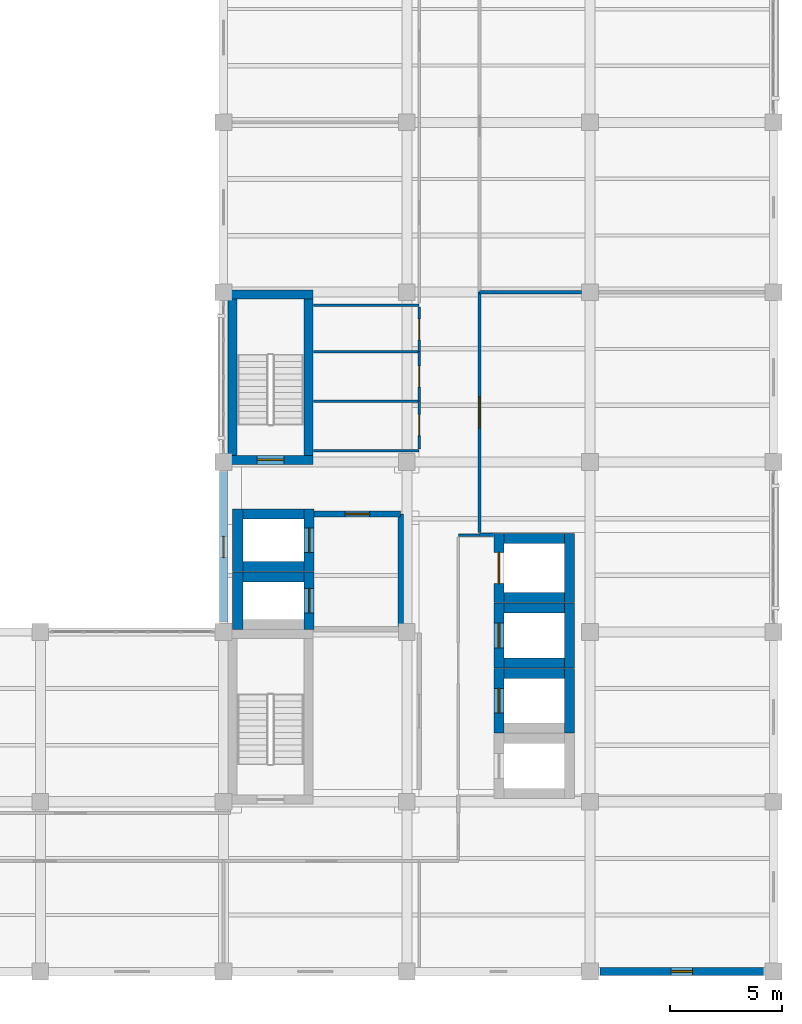
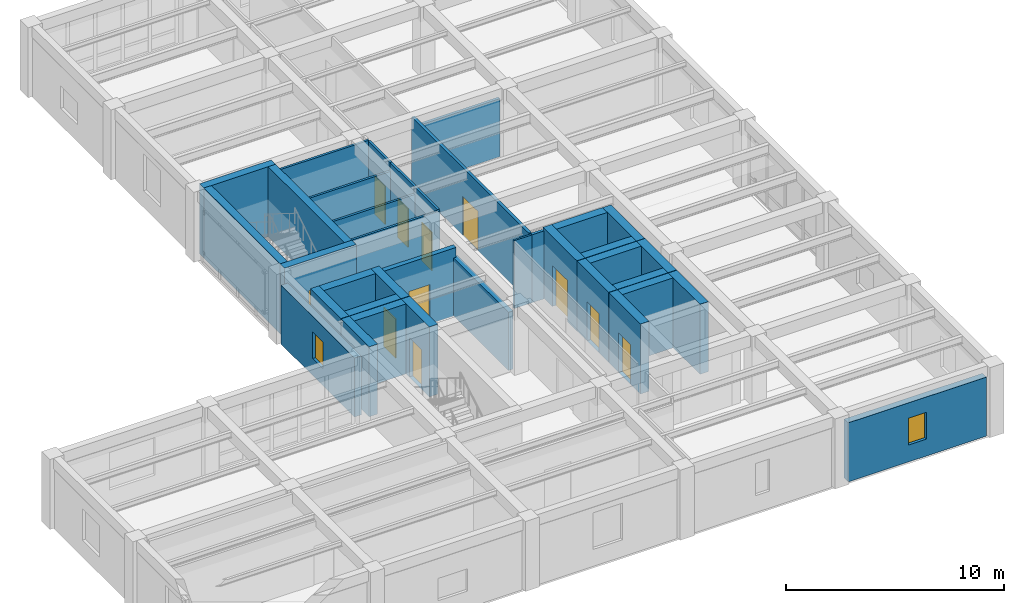
# One storey, part 8 of 13: 37 walls, 11 doors, 2 windows, 13 openings.
"""IFC4 building model written with IfcOpenShell, lengths in metres."""

from ifc_helpers import new_model, si_unit, direction, frame, frame_2d, origin, place, context, subcontext, project, spatial, rectangle, extrude, material, layer, layer_set, type_object, element, fill, save


model = new_model("IFC4")

# Units and contexts
model_context = context("Model", 3, precision=1e-05, world=origin(), true_north=direction((0.0, 1.0)))
body_context = subcontext(model_context, "Body", "Model", "MODEL_VIEW")
ifc_project = project(units=[si_unit("LENGTHUNIT", "METRE"), si_unit("AREAUNIT", "SQUARE_METRE"), si_unit("VOLUMEUNIT", "CUBIC_METRE"), si_unit("PLANEANGLEUNIT", "RADIAN"), si_unit("MASSUNIT", "GRAM", prefix="KILO")], contexts=[model_context])

# Site, building, storey
site_placement = place(None, origin())
site = spatial("IfcSite", under=ifc_project, at=site_placement, CompositionType="ELEMENT")
building_placement = place(site_placement, origin())
building = spatial("IfcBuilding", under=site, at=building_placement, Name="Qandaris Square Conservatory and Botanical Centre", CompositionType="ELEMENT")
storey_placement = place(building_placement, frame((0.0, 0.0, 57.60009765625)))
storey = spatial("IfcBuildingStorey", under=building, at=storey_placement, Name="L13", CompositionType="ELEMENT", Elevation=57.60009765625)

# Wall
ifc_material_1 = material(Name="Gypsum Plasterboard", Category="gypsum")
ifc_layer_1 = layer(ifc_material_1, 0.14990234375)
ifc_layer_set_1 = layer_set([ifc_layer_1], Name="Gypsum Plasterboard")
wall_type_1 = type_object("IfcWallType", Name="Acoustic Laboratory Partition 150mm", PredefinedType="PARTITIONING", material=ifc_layer_set_1)
wall_1_placement = place(storey_placement, frame((150.64990234375, 36.14990234375, 0.0), z_axis=(0.0, 0.0, 1.0), x_axis=(1.0, 0.0, 0.0)))
element("IfcWall", 1, at=wall_1_placement, inside=storey, type_object=wall_type_1, Name="Interior Partition IW-L13-0419", PredefinedType="PARTITIONING", context=body_context, shape_type="SweptSolid", body=[
    extrude(rectangle(XDim=0.6201171875, YDim=0.14990234375, at=frame_2d((0.31005859375, 0.0))), origin(), (0.0, 0.0, 1.0), 3.804931640625),
])

# Wall, opening, door
wall_2_placement = place(storey_placement, frame((150.64990234375, 47.0, 0.0), z_axis=(0.0, 0.0, 1.0), x_axis=(0.0, -1.0, 0.0)))
wall_2 = element("IfcWall", 2, at=wall_2_placement, inside=storey, type_object=wall_type_1, Name="Interior Partition IW-L13-0430", PredefinedType="PARTITIONING", context=body_context, shape_type="SweptSolid", body=[
    extrude(rectangle(XDim=10.75, YDim=0.14990234375, at=frame_2d((5.375, 0.0))), origin(), (0.0, 0.0, 1.0), 3.804931640625),
])
opening_1_placement = place(wall_2_placement, frame((4.675048828125, 0.0, 0.0)))
opening_1 = element("IfcOpeningElement", 3, at=opening_1_placement, cuts=wall_2, Name="Opening D-LAB1", PredefinedType="OPENING", context=body_context, shape_type="SweptSolid", body=[
    extrude(rectangle(XDim=1.39990234375, YDim=2.199951171875, at=frame_2d((0.699951171875, 1.10009765625))), frame((0.0, 0.0869140625, 0.0), z_axis=(0.0, -1.0, 0.0), x_axis=(1.0, 0.0, 0.0)), (0.0, 0.0, 1.0), 0.173828125),
])
ifc_material_2 = material(Name="Engineered Oak Timber", Category="wood")
door_type_1 = type_object("IfcDoorType", Name="Research Laboratory Leaf-and-Half Door 1400x2200", OperationType="DOUBLE_DOOR_SINGLE_SWING", PredefinedType="DOOR", material=ifc_material_2)
door_1_placement = place(opening_1_placement, frame((1.39990234375, 0.0, 0.0), z_axis=(0.0, 0.0, 1.0), x_axis=(-1.0, 0.0, 0.0)))
door_1 = element("IfcDoor", 4, at=door_1_placement, inside=storey, type_object=door_type_1, Name="DR-0386 Palaeobotany Pollen Analytical Laboratory Door", OperationType="DOUBLE_DOOR_SINGLE_SWING", OverallHeight=2.199951171875, OverallWidth=1.39990234375, PredefinedType="DOOR", context=body_context, shape_type="SweptSolid", body=[
    extrude(rectangle(XDim=1.39990234375, YDim=2.199951171875, at=frame_2d((0.699951171875, 1.10009765625))), frame((0.0, 0.02490234375, 0.0), z_axis=(0.0, -1.0, 0.0), x_axis=(1.0, 0.0, 0.0)), (0.0, 0.0, 1.0), 0.050048828125),
])
fill(opening_1, door_1)

# Wall
wall_3_placement = place(storey_placement, frame((150.64990234375, 47.0, 0.0), z_axis=(0.0, 0.0, 1.0), x_axis=(1.0, 0.0, 0.0)))
element("IfcWall", 5, at=wall_3_placement, inside=storey, type_object=wall_type_1, Name="Interior Partition IW-L13-0437", PredefinedType="PARTITIONING", context=body_context, shape_type="SweptSolid", body=[
    extrude(rectangle(XDim=4.55517578125, YDim=0.14990234375, at=frame_2d((2.277587890625, 0.0))), origin(), (0.0, 0.0, 1.0), 3.2548828125),
])

# Wall, opening, window
ifc_material_3 = material(Name="Precast concrete C40/50", Category="concrete")
ifc_layer_2 = layer(ifc_material_3, 0.360107421875)
ifc_layer_set_2 = layer_set([ifc_layer_2], Name="Precast concrete C40/50")
wall_type_2 = type_object("IfcWallType", Name="Architectural Precast Cladding Wall 360mm", PredefinedType="SOLIDWALL", material=ifc_layer_set_2)
wall_4_placement = place(storey_placement, frame((156.034912109375, 16.60009765625, 0.0), z_axis=(0.0, 0.0, 1.0), x_axis=(1.0, 0.0, 0.0)))
wall_4 = element("IfcWall", 6, at=wall_4_placement, inside=storey, type_object=wall_type_2, Name="Exterior Wall EW-TWR-L13-1-5", PredefinedType="SOLIDWALL", context=body_context, shape_type="SweptSolid", body=[
    extrude(rectangle(XDim=7.330078125, YDim=0.360107421875, at=frame_2d((3.6650390625, 0.0))), origin(), (0.0, 0.0, 1.0), 3.304931640625),
])
opening_2_placement = place(wall_4_placement, frame((3.18994140625, 0.0, 0.949951171875)))
opening_2 = element("IfcOpeningElement", 7, at=opening_2_placement, cuts=wall_4, Name="Opening WN-14", PredefinedType="OPENING", context=body_context, shape_type="SweptSolid", body=[
    extrude(rectangle(XDim=0.949951171875, YDim=1.5, at=frame_2d((0.47509765625, 0.75))), frame((0.0, 0.19189453125, 0.0), z_axis=(0.0, -1.0, 0.0), x_axis=(1.0, 0.0, 0.0)), (0.0, 0.0, 1.0), 0.384033203125),
])
ifc_material_4 = material(Name="Tempered Low-E Glass", Category="glass")
window_type = type_object("IfcWindowType", Name="Solar Control Window 950x1500", PartitioningType="SINGLE_PANEL", PredefinedType="WINDOW", material=ifc_material_4)
window_1_placement = place(opening_2_placement, origin())
window_1 = element("IfcWindow", 8, at=window_1_placement, inside=storey, type_object=window_type, Name="Window EW-TWR-L13-1-5", OverallHeight=1.5, OverallWidth=0.949951171875, PartitioningType="SINGLE_PANEL", PredefinedType="WINDOW", context=body_context, shape_type="SweptSolid", body=[
    extrude(rectangle(XDim=0.949951171875, YDim=1.5, at=frame_2d((0.47509765625, 0.75))), frame((0.0, 0.030029296875, 0.0), z_axis=(0.0, -1.0, 0.0), x_axis=(1.0, 0.0, 0.0)), (0.0, 0.0, 1.0), 0.06005859375),
])
fill(opening_2, window_1)

wall_5_placement = place(storey_placement, frame((139.199951171875, 38.965087890625, 0.0), z_axis=(0.0, 0.0, 1.0), x_axis=(0.0, -1.0, 0.0)))
wall_5 = element("IfcWall", 9, at=wall_5_placement, inside=storey, type_object=wall_type_2, Name="Exterior Wall EW-TWR-L13-4-4", PredefinedType="SOLIDWALL", context=body_context, shape_type="SweptSolid", body=[
    extrude(rectangle(XDim=6.72998046875, YDim=0.360107421875, at=frame_2d((3.364990234375, 0.0))), origin(), (0.0, 0.0, 1.0), 3.304931640625),
])
opening_3_placement = place(wall_5_placement, frame((2.889892578125, 0.0, 0.949951171875)))
opening_3 = element("IfcOpeningElement", 10, at=opening_3_placement, cuts=wall_5, Name="Opening WN-14", PredefinedType="OPENING", context=body_context, shape_type="SweptSolid", body=[
    extrude(rectangle(XDim=0.949951171875, YDim=1.5, at=frame_2d((0.47509765625, 0.75))), frame((0.0, 0.19189453125, 0.0), z_axis=(0.0, -1.0, 0.0), x_axis=(1.0, 0.0, 0.0)), (0.0, 0.0, 1.0), 0.384033203125),
])
window_2_placement = place(opening_3_placement, origin())
window_2 = element("IfcWindow", 11, at=window_2_placement, inside=storey, type_object=window_type, Name="Window EW-TWR-L13-4-4", OverallHeight=1.5, OverallWidth=0.949951171875, PartitioningType="SINGLE_PANEL", PredefinedType="WINDOW", context=body_context, shape_type="SweptSolid", body=[
    extrude(rectangle(XDim=0.949951171875, YDim=1.5, at=frame_2d((0.47509765625, 0.75))), frame((0.0, 0.030029296875, 0.0), z_axis=(0.0, -1.0, 0.0), x_axis=(1.0, 0.0, 0.0)), (0.0, 0.0, 1.0), 0.06005859375),
])
fill(opening_3, window_2)

# Wall, opening, door
ifc_material_5 = material(Name="Concrete C40/50", Category="concrete")
ifc_layer_3 = layer(ifc_material_5, 0.25)
ifc_layer_set_3 = layer_set([ifc_layer_3], Name="Concrete C40/50")
wall_type_3 = type_object("IfcWallType", Name="Firefighting Lobby Compartment Wall 250mm", PredefinedType="SOLIDWALL", material=ifc_layer_set_3)
wall_6_placement = place(storey_placement, frame((143.25, 37.074951171875, 0.0), z_axis=(0.0, 0.0, 1.0), x_axis=(1.0, 0.0, 0.0)))
wall_6 = element("IfcWall", 12, at=wall_6_placement, inside=storey, type_object=wall_type_3, Name="Firefighting Lobby Wall North (L13)", PredefinedType="SOLIDWALL", context=body_context, shape_type="SweptSolid", body=[
    extrude(rectangle(XDim=3.875, YDim=0.25, at=frame_2d((1.9375, 0.0))), origin(), (0.0, 0.0, 1.0), 3.804931640625),
])
opening_4_placement = place(wall_6_placement, frame((1.387451171875, 0.0, 0.0)))
opening_4 = element("IfcOpeningElement", 13, at=opening_4_placement, cuts=wall_6, Name="Opening D-FFL", PredefinedType="OPENING", context=body_context, shape_type="SweptSolid", body=[
    extrude(rectangle(XDim=1.10009765625, YDim=2.199951171875, at=frame_2d((0.550048828125, 1.10009765625))), frame((0.0, 0.136962890625, 0.0), z_axis=(0.0, -1.0, 0.0), x_axis=(1.0, 0.0, 0.0)), (0.0, 0.0, 1.0), 0.27392578125),
])
ifc_material_6 = material(Name="Steel S355", Category="steel")
door_type_2 = type_object("IfcDoorType", Name="Firefighting Lobby Smoke-Seal Door 1100x2200", OperationType="NOTDEFINED", PredefinedType="DOOR", material=ifc_material_6)
door_2_placement = place(opening_4_placement, origin())
door_2 = element("IfcDoor", 14, at=door_2_placement, inside=storey, type_object=door_type_2, Name="DR-0383 Firefighting Lobby Door (L13)", OperationType="SINGLE_SWING_RIGHT", OverallHeight=2.199951171875, OverallWidth=1.10009765625, PredefinedType="DOOR", context=body_context, shape_type="SweptSolid", body=[
    extrude(rectangle(XDim=1.10009765625, YDim=2.199951171875, at=frame_2d((0.550048828125, 1.10009765625))), frame((0.0, 0.02490234375, 0.0), z_axis=(0.0, -1.0, 0.0), x_axis=(1.0, 0.0, 0.0)), (0.0, 0.0, 1.0), 0.050048828125),
])
fill(opening_4, door_2)

# Walls
wall_7_placement = place(storey_placement, frame((147.125, 31.925048828125, 0.0), z_axis=(0.0, 0.0, 1.0), x_axis=(0.0, 1.0, 0.0)))
element("IfcWall", 15, at=wall_7_placement, inside=storey, type_object=wall_type_3, Name="Firefighting Lobby Wall East (L13)", PredefinedType="SOLIDWALL", context=body_context, shape_type="SweptSolid", body=[
    extrude(rectangle(XDim=5.14990234375, YDim=0.25, at=frame_2d((2.574951171875, 0.0))), origin(), (0.0, 0.0, 1.0), 3.2548828125),
])
ifc_layer_4 = layer(ifc_material_4, 0.10009765625)
ifc_layer_set_4 = layer_set([ifc_layer_4], Name="Tempered Low-E Glass")
wall_type_4 = type_object("IfcWallType", Name="Framed Acoustic Glazed Gallery Screen 100mm", PredefinedType="PARTITIONING", material=ifc_layer_set_4)
wall_8_placement = place(storey_placement, frame((149.699951171875, 36.125, 0.0), z_axis=(0.0, 0.0, 1.0), x_axis=(1.0, 0.0, 0.0)))
element("IfcWall", 16, at=wall_8_placement, inside=storey, type_object=wall_type_4, Name="Interior Partition IW-L13-0418", PredefinedType="PARTITIONING", context=body_context, shape_type="SweptSolid", body=[
    extrude(rectangle(XDim=0.949951171875, YDim=0.10009765625, at=frame_2d((0.47509765625, 0.0))), origin(), (0.0, 0.0, 1.0), 3.804931640625),
])
ifc_material_7 = material(Name="Concrete C50/60", Category="concrete")
ifc_layer_5 = layer(ifc_material_7, 0.449951171875)
ifc_layer_set_5 = layer_set([ifc_layer_5], Name="Concrete C50/60")
wall_type_5 = type_object("IfcWallType", Name="RC Coupled Core Shear Wall 450mm", PredefinedType="SHEAR", material=ifc_layer_set_5)
wall_9_placement = place(storey_placement, frame((140.06005859375, 34.264892578125, 0.0), z_axis=(0.0, 0.0, 1.0), x_axis=(1.0, 0.0, 0.0)))
element("IfcWall", 17, at=wall_9_placement, inside=storey, type_object=wall_type_5, Name="Lift FFL1 Shaft Wall North (L13)", PredefinedType="SHEAR", context=body_context, shape_type="SweptSolid", body=[
    extrude(rectangle(XDim=2.739990234375, YDim=0.449951171875, at=frame_2d((1.3701171875, 0.0))), origin(), (0.0, 0.0, 1.0), 3.919921875),
])
wall_10_placement = place(storey_placement, frame((139.8349609375, 31.909912109375, 0.0), z_axis=(0.0, 0.0, 1.0), x_axis=(0.0, 1.0, 0.0)))
element("IfcWall", 18, at=wall_10_placement, inside=storey, type_object=wall_type_5, Name="Lift FFL1 Shaft Wall West (L13)", PredefinedType="SHEAR", context=body_context, shape_type="SweptSolid", body=[
    extrude(rectangle(XDim=2.580078125, YDim=0.449951171875, at=frame_2d((1.2900390625, 0.0))), origin(), (0.0, 0.0, 1.0), 3.919921875),
])

# Wall, opening, door
wall_11_placement = place(storey_placement, frame((143.02490234375, 31.909912109375, 0.0), z_axis=(0.0, 0.0, 1.0), x_axis=(0.0, 1.0, 0.0)))
wall_11 = element("IfcWall", 19, at=wall_11_placement, inside=storey, type_object=wall_type_5, Name="Lift FFL1 Shaft Wall East (L13)", PredefinedType="SHEAR", context=body_context, shape_type="SweptSolid", body=[
    extrude(rectangle(XDim=2.580078125, YDim=0.449951171875, at=frame_2d((1.2900390625, 0.0))), origin(), (0.0, 0.0, 1.0), 3.919921875),
])
opening_5_placement = place(wall_11_placement, frame((0.739990234375, 0.0, 0.0)))
opening_5 = element("IfcOpeningElement", 20, at=opening_5_placement, cuts=wall_11, Name="Opening LD-FFL", PredefinedType="OPENING", context=body_context, shape_type="SweptSolid", body=[
    extrude(rectangle(XDim=1.10009765625, YDim=2.199951171875, at=frame_2d((0.550048828125, 1.10009765625))), frame((0.0, 0.23681640625, 0.0), z_axis=(0.0, -1.0, 0.0), x_axis=(1.0, 0.0, 0.0)), (0.0, 0.0, 1.0), 0.473876953125),
])
door_type_3 = type_object("IfcDoorType", Name="Firefighting Lift Sliding Landing Door 1100x2200", OperationType="DOUBLE_DOOR_SLIDING", PredefinedType="DOOR", material=ifc_material_6)
door_3_placement = place(opening_5_placement, origin())
door_3 = element("IfcDoor", 21, at=door_3_placement, inside=storey, type_object=door_type_3, Name="DR-0399 Lift FFL1 Landing Door (L13)", OperationType="DOUBLE_DOOR_SLIDING", OverallHeight=2.199951171875, OverallWidth=1.10009765625, PredefinedType="DOOR", context=body_context, shape_type="SweptSolid", body=[
    extrude(rectangle(XDim=1.10009765625, YDim=2.199951171875, at=frame_2d((0.550048828125, 1.10009765625))), frame((0.0, 0.02490234375, 0.0), z_axis=(0.0, -1.0, 0.0), x_axis=(1.0, 0.0, 0.0)), (0.0, 0.0, 1.0), 0.050048828125),
])
fill(opening_5, door_3)

# Walls
for number, where, z_axis, x_axis, name in (
    (22, (140.06005859375, 34.735107421875, 0.0), (0.0, 0.0, 1.0), (1.0, 0.0, 0.0), "Lift FFL2 Shaft Wall South (L13)"),
    (23, (140.06005859375, 37.06494140625, 0.0), (0.0, 0.0, 1.0), (1.0, 0.0, 0.0), "Lift FFL2 Shaft Wall North (L13)"),
):
    element("IfcWall", number, at=place(storey_placement, frame(where, z_axis=z_axis, x_axis=x_axis)), inside=storey, type_object=wall_type_5, Name=name, PredefinedType="SHEAR", context=body_context, shape_type="SweptSolid", body=[
        extrude(rectangle(XDim=2.739990234375, YDim=0.449951171875, at=frame_2d((1.3701171875, 0.0))), origin(), (0.0, 0.0, 1.0), 3.919921875),
    ])
wall_12_placement = place(storey_placement, frame((139.8349609375, 34.510009765625, 0.0), z_axis=(0.0, 0.0, 1.0), x_axis=(0.0, 1.0, 0.0)))
element("IfcWall", 24, at=wall_12_placement, inside=storey, type_object=wall_type_5, Name="Lift FFL2 Shaft Wall West (L13)", PredefinedType="SHEAR", context=body_context, shape_type="SweptSolid", body=[
    extrude(rectangle(XDim=2.780029296875, YDim=0.449951171875, at=frame_2d((1.39013671875, 0.0))), origin(), (0.0, 0.0, 1.0), 3.919921875),
])

# Wall, opening, door
wall_13_placement = place(storey_placement, frame((143.02490234375, 34.510009765625, 0.0), z_axis=(0.0, 0.0, 1.0), x_axis=(0.0, 1.0, 0.0)))
wall_13 = element("IfcWall", 25, at=wall_13_placement, inside=storey, type_object=wall_type_5, Name="Lift FFL2 Shaft Wall East (L13)", PredefinedType="SHEAR", context=body_context, shape_type="SweptSolid", body=[
    extrude(rectangle(XDim=2.780029296875, YDim=0.449951171875, at=frame_2d((1.39013671875, 0.0))), origin(), (0.0, 0.0, 1.0), 3.919921875),
])
opening_6_placement = place(wall_13_placement, frame((0.840087890625, 0.0, 0.0)))
opening_6 = element("IfcOpeningElement", 26, at=opening_6_placement, cuts=wall_13, Name="Opening LD-FFL", PredefinedType="OPENING", context=body_context, shape_type="SweptSolid", body=[
    extrude(rectangle(XDim=1.10009765625, YDim=2.199951171875, at=frame_2d((0.550048828125, 1.10009765625))), frame((0.0, 0.23681640625, 0.0), z_axis=(0.0, -1.0, 0.0), x_axis=(1.0, 0.0, 0.0)), (0.0, 0.0, 1.0), 0.473876953125),
])
door_4_placement = place(opening_6_placement, origin())
door_4 = element("IfcDoor", 27, at=door_4_placement, inside=storey, type_object=door_type_3, Name="DR-0400 Lift FFL2 Landing Door (L13)", OperationType="DOUBLE_DOOR_SLIDING", OverallHeight=2.199951171875, OverallWidth=1.10009765625, PredefinedType="DOOR", context=body_context, shape_type="SweptSolid", body=[
    extrude(rectangle(XDim=1.10009765625, YDim=2.199951171875, at=frame_2d((0.550048828125, 1.10009765625))), frame((0.0, 0.02490234375, 0.0), z_axis=(0.0, -1.0, 0.0), x_axis=(1.0, 0.0, 0.0)), (0.0, 0.0, 1.0), 0.050048828125),
])
fill(opening_6, door_4)

# Wall
wall_14_placement = place(storey_placement, frame((151.75, 29.945068359375, 0.0), z_axis=(0.0, 0.0, 1.0), x_axis=(1.0, 0.0, 0.0)))
element("IfcWall", 28, at=wall_14_placement, inside=storey, type_object=wall_type_5, Name="Lift PL2 Shaft Wall North (L13)", PredefinedType="SHEAR", context=body_context, shape_type="SweptSolid", body=[
    extrude(rectangle(XDim=2.699951171875, YDim=0.449951171875, at=frame_2d((1.35009765625, 0.0))), origin(), (0.0, 0.0, 1.0), 3.919921875),
])

# Wall, opening, door
wall_15_placement = place(storey_placement, frame((151.52490234375, 27.27001953125, 0.0), z_axis=(0.0, 0.0, 1.0), x_axis=(0.0, 1.0, 0.0)))
wall_15 = element("IfcWall", 29, at=wall_15_placement, inside=storey, type_object=wall_type_5, Name="Lift PL2 Shaft Wall West (L13)", PredefinedType="SHEAR", context=body_context, shape_type="SweptSolid", body=[
    extrude(rectangle(XDim=2.89990234375, YDim=0.449951171875, at=frame_2d((1.449951171875, 0.0))), origin(), (0.0, 0.0, 1.0), 3.919921875),
])
opening_7_placement = place(wall_15_placement, frame((0.89990234375, 0.0, 0.0)))
opening_7 = element("IfcOpeningElement", 30, at=opening_7_placement, cuts=wall_15, Name="Opening LD-PAX", PredefinedType="OPENING", context=body_context, shape_type="SweptSolid", body=[
    extrude(rectangle(XDim=1.10009765625, YDim=2.199951171875, at=frame_2d((0.550048828125, 1.10009765625))), frame((0.0, 0.23681640625, 0.0), z_axis=(0.0, -1.0, 0.0), x_axis=(1.0, 0.0, 0.0)), (0.0, 0.0, 1.0), 0.473876953125),
])
ifc_material_8 = material(Name="Anodised Aluminium", Category="aluminium")
door_type_4 = type_object("IfcDoorType", Name="Passenger Lift Sliding Landing Door 1100x2200", OperationType="DOUBLE_DOOR_SLIDING", PredefinedType="DOOR", material=ifc_material_8)
door_5_placement = place(opening_7_placement, origin())
door_5 = element("IfcDoor", 31, at=door_5_placement, inside=storey, type_object=door_type_4, Name="DR-0403 Lift PL2 Landing Door (L13)", OperationType="DOUBLE_DOOR_SLIDING", OverallHeight=2.199951171875, OverallWidth=1.10009765625, PredefinedType="DOOR", context=body_context, shape_type="SweptSolid", body=[
    extrude(rectangle(XDim=1.10009765625, YDim=2.199951171875, at=frame_2d((0.550048828125, 1.10009765625))), frame((0.0, 0.02490234375, 0.0), z_axis=(0.0, -1.0, 0.0), x_axis=(1.0, 0.0, 0.0)), (0.0, 0.0, 1.0), 0.050048828125),
])
fill(opening_7, door_5)

# Walls
wall_16_placement = place(storey_placement, frame((154.675048828125, 27.27001953125, 0.0), z_axis=(0.0, 0.0, 1.0), x_axis=(0.0, 1.0, 0.0)))
element("IfcWall", 32, at=wall_16_placement, inside=storey, type_object=wall_type_5, Name="Lift PL2 Shaft Wall East (L13)", PredefinedType="SHEAR", context=body_context, shape_type="SweptSolid", body=[
    extrude(rectangle(XDim=2.89990234375, YDim=0.449951171875, at=frame_2d((1.449951171875, 0.0))), origin(), (0.0, 0.0, 1.0), 3.919921875),
])
for number, where, z_axis, x_axis, name in (
    (33, (151.75, 30.4150390625, 0.0), (0.0, 0.0, 1.0), (1.0, 0.0, 0.0), "Lift PL3 Shaft Wall South (L13)"),
    (34, (151.75, 32.864990234375, 0.0), (0.0, 0.0, 1.0), (1.0, 0.0, 0.0), "Lift PL3 Shaft Wall North (L13)"),
):
    element("IfcWall", number, at=place(storey_placement, frame(where, z_axis=z_axis, x_axis=x_axis)), inside=storey, type_object=wall_type_5, Name=name, PredefinedType="SHEAR", context=body_context, shape_type="SweptSolid", body=[
        extrude(rectangle(XDim=2.699951171875, YDim=0.449951171875, at=frame_2d((1.35009765625, 0.0))), origin(), (0.0, 0.0, 1.0), 3.919921875),
    ])

# Wall, opening, door
wall_17_placement = place(storey_placement, frame((151.52490234375, 30.18994140625, 0.0), z_axis=(0.0, 0.0, 1.0), x_axis=(0.0, 1.0, 0.0)))
wall_17 = element("IfcWall", 35, at=wall_17_placement, inside=storey, type_object=wall_type_5, Name="Lift PL3 Shaft Wall West (L13)", PredefinedType="SHEAR", context=body_context, shape_type="SweptSolid", body=[
    extrude(rectangle(XDim=2.900146484375, YDim=0.449951171875, at=frame_2d((1.4501953125, 0.0))), origin(), (0.0, 0.0, 1.0), 3.919921875),
])
opening_8_placement = place(wall_17_placement, frame((0.89990234375, 0.0, 0.0)))
opening_8 = element("IfcOpeningElement", 36, at=opening_8_placement, cuts=wall_17, Name="Opening LD-PAX", PredefinedType="OPENING", context=body_context, shape_type="SweptSolid", body=[
    extrude(rectangle(XDim=1.10009765625, YDim=2.199951171875, at=frame_2d((0.550048828125, 1.10009765625))), frame((0.0, 0.23681640625, 0.0), z_axis=(0.0, -1.0, 0.0), x_axis=(1.0, 0.0, 0.0)), (0.0, 0.0, 1.0), 0.473876953125),
])
door_6_placement = place(opening_8_placement, origin())
door_6 = element("IfcDoor", 37, at=door_6_placement, inside=storey, type_object=door_type_4, Name="DR-0404 Lift PL3 Landing Door (L13)", OperationType="DOUBLE_DOOR_SLIDING", OverallHeight=2.199951171875, OverallWidth=1.10009765625, PredefinedType="DOOR", context=body_context, shape_type="SweptSolid", body=[
    extrude(rectangle(XDim=1.10009765625, YDim=2.199951171875, at=frame_2d((0.550048828125, 1.10009765625))), frame((0.0, 0.02490234375, 0.0), z_axis=(0.0, -1.0, 0.0), x_axis=(1.0, 0.0, 0.0)), (0.0, 0.0, 1.0), 0.050048828125),
])
fill(opening_8, door_6)

# Walls
wall_18_placement = place(storey_placement, frame((154.675048828125, 30.18994140625, 0.0), z_axis=(0.0, 0.0, 1.0), x_axis=(0.0, 1.0, 0.0)))
element("IfcWall", 38, at=wall_18_placement, inside=storey, type_object=wall_type_5, Name="Lift PL3 Shaft Wall East (L13)", PredefinedType="SHEAR", context=body_context, shape_type="SweptSolid", body=[
    extrude(rectangle(XDim=2.900146484375, YDim=0.449951171875, at=frame_2d((1.4501953125, 0.0))), origin(), (0.0, 0.0, 1.0), 3.919921875),
])
for number, where, z_axis, x_axis, name in (
    (39, (151.75, 33.3349609375, 0.0), (0.0, 0.0, 1.0), (1.0, 0.0, 0.0), "Lift GL1 Shaft Wall South (L13)"),
    (40, (151.75, 35.985107421875, 0.0), (0.0, 0.0, 1.0), (1.0, 0.0, 0.0), "Lift GL1 Shaft Wall North (L13)"),
):
    element("IfcWall", number, at=place(storey_placement, frame(where, z_axis=z_axis, x_axis=x_axis)), inside=storey, type_object=wall_type_5, Name=name, PredefinedType="SHEAR", context=body_context, shape_type="SweptSolid", body=[
        extrude(rectangle(XDim=2.699951171875, YDim=0.449951171875, at=frame_2d((1.35009765625, 0.0))), origin(), (0.0, 0.0, 1.0), 3.919921875),
    ])

# Wall, opening, door
wall_19_placement = place(storey_placement, frame((151.52490234375, 33.110107421875, 0.0), z_axis=(0.0, 0.0, 1.0), x_axis=(0.0, 1.0, 0.0)))
wall_19 = element("IfcWall", 41, at=wall_19_placement, inside=storey, type_object=wall_type_5, Name="Lift GL1 Shaft Wall West (L13)", PredefinedType="SHEAR", context=body_context, shape_type="SweptSolid", body=[
    extrude(rectangle(XDim=3.099853515625, YDim=0.449951171875, at=frame_2d((1.5498046875, 0.0))), origin(), (0.0, 0.0, 1.0), 3.919921875),
])
opening_9_placement = place(wall_19_placement, frame((0.85009765625, 0.0, 0.0)))
opening_9 = element("IfcOpeningElement", 42, at=opening_9_placement, cuts=wall_19, Name="Opening LD-GDS", PredefinedType="OPENING", context=body_context, shape_type="SweptSolid", body=[
    extrude(rectangle(XDim=1.39990234375, YDim=2.300048828125, at=frame_2d((0.699951171875, 1.14990234375))), frame((0.0, 0.23681640625, 0.0), z_axis=(0.0, -1.0, 0.0), x_axis=(1.0, 0.0, 0.0)), (0.0, 0.0, 1.0), 0.473876953125),
])
door_type_5 = type_object("IfcDoorType", Name="Goods & Herbarium Lift Sliding Landing Door 1400x2300", OperationType="DOUBLE_DOOR_SLIDING", PredefinedType="DOOR", material=ifc_material_6)
door_7_placement = place(opening_9_placement, origin())
door_7 = element("IfcDoor", 43, at=door_7_placement, inside=storey, type_object=door_type_5, Name="DR-0401 Lift GL1 Landing Door (L13)", OperationType="DOUBLE_DOOR_SLIDING", OverallHeight=2.300048828125, OverallWidth=1.39990234375, PredefinedType="DOOR", context=body_context, shape_type="SweptSolid", body=[
    extrude(rectangle(XDim=1.39990234375, YDim=2.300048828125, at=frame_2d((0.699951171875, 1.14990234375))), frame((0.0, 0.02490234375, 0.0), z_axis=(0.0, -1.0, 0.0), x_axis=(1.0, 0.0, 0.0)), (0.0, 0.0, 1.0), 0.050048828125),
])
fill(opening_9, door_7)

# Wall
wall_20_placement = place(storey_placement, frame((154.675048828125, 33.110107421875, 0.0), z_axis=(0.0, 0.0, 1.0), x_axis=(0.0, 1.0, 0.0)))
element("IfcWall", 44, at=wall_20_placement, inside=storey, type_object=wall_type_5, Name="Lift GL1 Shaft Wall East (L13)", PredefinedType="SHEAR", context=body_context, shape_type="SweptSolid", body=[
    extrude(rectangle(XDim=3.099853515625, YDim=0.449951171875, at=frame_2d((1.5498046875, 0.0))), origin(), (0.0, 0.0, 1.0), 3.919921875),
])

# Wall, opening, door
ifc_layer_6 = layer(ifc_material_7, 0.39990234375)
ifc_layer_set_6 = layer_set([ifc_layer_6], Name="Concrete C50/60")
wall_type_6 = type_object("IfcWallType", Name="RC Stair Core Shear Wall 400mm", PredefinedType="SHEAR", material=ifc_layer_set_6)
wall_21_placement = place(storey_placement, frame((139.39990234375, 39.5, 0.0), z_axis=(0.0, 0.0, 1.0), x_axis=(1.0, 0.0, 0.0)))
wall_21 = element("IfcWall", 45, at=wall_21_placement, inside=storey, type_object=wall_type_6, Name="ST-2 Core Shear Wall South (L13)", PredefinedType="SHEAR", context=body_context, shape_type="SweptSolid", body=[
    extrude(rectangle(XDim=3.800048828125, YDim=0.39990234375, at=frame_2d((1.89990234375, 0.0))), origin(), (0.0, 0.0, 1.0), 3.919921875),
])
opening_10_placement = place(wall_21_placement, frame((1.300048828125, 0.0, 0.0)))
opening_10 = element("IfcOpeningElement", 46, at=opening_10_placement, cuts=wall_21, Name="Opening D-ST1", PredefinedType="OPENING", context=body_context, shape_type="SweptSolid", body=[
    extrude(rectangle(XDim=1.199951171875, YDim=2.199951171875, at=frame_2d((0.60009765625, 1.10009765625))), frame((0.0, 0.2119140625, 0.0), z_axis=(0.0, -1.0, 0.0), x_axis=(1.0, 0.0, 0.0)), (0.0, 0.0, 1.0), 0.423828125),
])
door_type_6 = type_object("IfcDoorType", Name="Exit Stair Core Fire Door 1200x2200", OperationType="NOTDEFINED", PredefinedType="DOOR", material=ifc_material_6)
door_8_placement = place(opening_10_placement, origin())
door_8 = element("IfcDoor", 47, at=door_8_placement, inside=storey, type_object=door_type_6, Name="DR-0395 ST-2 Stair Core Door (L13)", OperationType="SINGLE_SWING_LEFT", OverallHeight=2.199951171875, OverallWidth=1.199951171875, PredefinedType="DOOR", context=body_context, shape_type="SweptSolid", body=[
    extrude(rectangle(XDim=1.199951171875, YDim=2.199951171875, at=frame_2d((0.60009765625, 1.10009765625))), frame((0.0, 0.02490234375, 0.0), z_axis=(0.0, -1.0, 0.0), x_axis=(1.0, 0.0, 0.0)), (0.0, 0.0, 1.0), 0.050048828125),
])
fill(opening_10, door_8)

# Walls
wall_22_placement = place(storey_placement, frame((139.39990234375, 46.89990234375, 0.0), z_axis=(0.0, 0.0, 1.0), x_axis=(1.0, 0.0, 0.0)))
element("IfcWall", 48, at=wall_22_placement, inside=storey, type_object=wall_type_6, Name="ST-2 Core Shear Wall North (L13)", PredefinedType="SHEAR", context=body_context, shape_type="SweptSolid", body=[
    extrude(rectangle(XDim=3.800048828125, YDim=0.39990234375, at=frame_2d((1.89990234375, 0.0))), origin(), (0.0, 0.0, 1.0), 3.919921875),
])
for number, where, z_axis, x_axis, name in (
    (49, (139.60009765625, 39.699951171875, 0.0), (0.0, 0.0, 1.0), (0.0, 1.0, 0.0), "ST-2 Core Shear Wall West (L13)"),
    (50, (143.0, 39.699951171875, 0.0), (0.0, 0.0, 1.0), (0.0, 1.0, 0.0), "ST-2 Core Shear Wall East (L13)"),
):
    element("IfcWall", number, at=place(storey_placement, frame(where, z_axis=z_axis, x_axis=x_axis)), inside=storey, type_object=wall_type_6, Name=name, PredefinedType="SHEAR", context=body_context, shape_type="SweptSolid", body=[
        extrude(rectangle(XDim=7.0, YDim=0.39990234375, at=frame_2d((3.5, 0.0))), origin(), (0.0, 0.0, 1.0), 3.919921875),
    ])
ifc_layer_7 = layer(ifc_material_1, 0.1201171875)
ifc_layer_set_7 = layer_set([ifc_layer_7], Name="Gypsum Plasterboard")
wall_type_7 = type_object("IfcWallType", Name="Standard Research Partition 120mm", PredefinedType="PARTITIONING", material=ifc_layer_set_7)
for number, where, z_axis, x_axis, name in (
    (51, (143.22998046875, 39.89990234375, 0.0), (0.0, 0.0, 1.0), (1.0, 0.0, 0.0), "Sanitary Toilet Partition Wall WCW-L13-SOUTH1"),
    (52, (143.22998046875, 46.419921875, 0.0), (0.0, 0.0, 1.0), (1.0, 0.0, 0.0), "Sanitary Toilet Partition Wall WCW-L13-NORTH1"),
):
    element("IfcWall", number, at=place(storey_placement, frame(where, z_axis=z_axis, x_axis=x_axis)), inside=storey, type_object=wall_type_7, Name=name, PredefinedType="PARTITIONING", context=body_context, shape_type="SweptSolid", body=[
        extrude(rectangle(XDim=4.719970703125, YDim=0.1201171875, at=frame_2d((2.35986328125, 0.0))), origin(), (0.0, 0.0, 1.0), 3.804931640625),
    ])
wall_23_placement = place(storey_placement, frame((143.22998046875, 42.1201171875, 0.0), z_axis=(0.0, 0.0, 1.0), x_axis=(1.0, 0.0, 0.0)))
element("IfcWall", 53, at=wall_23_placement, inside=storey, type_object=wall_type_7, Name="Interior Partition IW-L13-0420", PredefinedType="PARTITIONING", context=body_context, shape_type="SweptSolid", body=[
    extrude(rectangle(XDim=4.719970703125, YDim=0.1201171875, at=frame_2d((2.35986328125, 0.0))), origin(), (0.0, 0.0, 1.0), 3.39501953125),
])

# Wall, opening, door
wall_24_placement = place(storey_placement, frame((147.949951171875, 42.1201171875, 0.0), z_axis=(0.0, 0.0, 1.0), x_axis=(0.0, -1.0, 0.0)))
wall_24 = element("IfcWall", 54, at=wall_24_placement, inside=storey, type_object=wall_type_7, Name="Interior Partition IW-L13-0421", PredefinedType="PARTITIONING", context=body_context, shape_type="SweptSolid", body=[
    extrude(rectangle(XDim=2.130126953125, YDim=0.1201171875, at=frame_2d((1.06494140625, 0.0))), origin(), (0.0, 0.0, 1.0), 3.804931640625),
])
opening_11_placement = place(wall_24_placement, frame((0.590087890625, 0.0, 0.0)))
opening_11 = element("IfcOpeningElement", 55, at=opening_11_placement, cuts=wall_24, Name="Opening D-WC1", PredefinedType="OPENING", context=body_context, shape_type="SweptSolid", body=[
    extrude(rectangle(XDim=0.949951171875, YDim=2.14990234375, at=frame_2d((0.47509765625, 1.074951171875))), frame((0.0, 0.072021484375, 0.0), z_axis=(0.0, -1.0, 0.0), x_axis=(1.0, 0.0, 0.0)), (0.0, 0.0, 1.0), 0.14404296875),
])
door_type_7 = type_object("IfcDoorType", Name="Accessible Sanitary Room Door 950x2150", OperationType="NOTDEFINED", PredefinedType="DOOR", material=ifc_material_2)
door_9_placement = place(opening_11_placement, origin())
door_9 = element("IfcDoor", 56, at=door_9_placement, inside=storey, type_object=door_type_7, Name="DR-0396 Accessible Toilet L13 Door", OperationType="SINGLE_SWING_RIGHT", OverallHeight=2.14990234375, OverallWidth=0.949951171875, PredefinedType="DOOR", context=body_context, shape_type="SweptSolid", body=[
    extrude(rectangle(XDim=0.949951171875, YDim=2.14990234375, at=frame_2d((0.47509765625, 1.074951171875))), frame((0.0, 0.02490234375, 0.0), z_axis=(0.0, -1.0, 0.0), x_axis=(1.0, 0.0, 0.0)), (0.0, 0.0, 1.0), 0.050048828125),
])
fill(opening_11, door_9)

# Wall
wall_25_placement = place(storey_placement, frame((143.22998046875, 44.340087890625, 0.0), z_axis=(0.0, 0.0, 1.0), x_axis=(1.0, 0.0, 0.0)))
element("IfcWall", 57, at=wall_25_placement, inside=storey, type_object=wall_type_7, Name="Interior Partition IW-L13-0422", PredefinedType="PARTITIONING", context=body_context, shape_type="SweptSolid", body=[
    extrude(rectangle(XDim=4.719970703125, YDim=0.1201171875, at=frame_2d((2.35986328125, 0.0))), origin(), (0.0, 0.0, 1.0), 3.344970703125),
])

# Wall, opening, door
wall_26_placement = place(storey_placement, frame((147.949951171875, 44.340087890625, 0.0), z_axis=(0.0, 0.0, 1.0), x_axis=(0.0, -1.0, 0.0)))
wall_26 = element("IfcWall", 58, at=wall_26_placement, inside=storey, type_object=wall_type_7, Name="Interior Partition IW-L13-0423", PredefinedType="PARTITIONING", context=body_context, shape_type="SweptSolid", body=[
    extrude(rectangle(XDim=2.219970703125, YDim=0.1201171875, at=frame_2d((1.10986328125, 0.0))), origin(), (0.0, 0.0, 1.0), 3.804931640625),
])
opening_12_placement = place(wall_26_placement, frame((0.635009765625, 0.0, 0.0)))
opening_12 = element("IfcOpeningElement", 59, at=opening_12_placement, cuts=wall_26, Name="Opening D-WC1", PredefinedType="OPENING", context=body_context, shape_type="SweptSolid", body=[
    extrude(rectangle(XDim=0.949951171875, YDim=2.14990234375, at=frame_2d((0.47509765625, 1.074951171875))), frame((0.0, 0.072021484375, 0.0), z_axis=(0.0, -1.0, 0.0), x_axis=(1.0, 0.0, 0.0)), (0.0, 0.0, 1.0), 0.14404296875),
])
door_10_placement = place(opening_12_placement, origin())
door_10 = element("IfcDoor", 60, at=door_10_placement, inside=storey, type_object=door_type_7, Name="DR-0397 Staff Male Toilet L13 Door", OperationType="SINGLE_SWING_LEFT", OverallHeight=2.14990234375, OverallWidth=0.949951171875, PredefinedType="DOOR", context=body_context, shape_type="SweptSolid", body=[
    extrude(rectangle(XDim=0.949951171875, YDim=2.14990234375, at=frame_2d((0.47509765625, 1.074951171875))), frame((0.0, 0.02490234375, 0.0), z_axis=(0.0, -1.0, 0.0), x_axis=(1.0, 0.0, 0.0)), (0.0, 0.0, 1.0), 0.050048828125),
])
fill(opening_12, door_10)

wall_27_placement = place(storey_placement, frame((147.949951171875, 46.330078125, 0.0), z_axis=(0.0, 0.0, 1.0), x_axis=(0.0, -1.0, 0.0)))
wall_27 = element("IfcWall", 61, at=wall_27_placement, inside=storey, type_object=wall_type_7, Name="Interior Partition IW-L13-0424", PredefinedType="PARTITIONING", context=body_context, shape_type="SweptSolid", body=[
    extrude(rectangle(XDim=1.989990234375, YDim=0.1201171875, at=frame_2d((0.9951171875, 0.0))), origin(), (0.0, 0.0, 1.0), 3.804931640625),
])
opening_13_placement = place(wall_27_placement, frame((0.52001953125, 0.0, 0.0)))
opening_13 = element("IfcOpeningElement", 62, at=opening_13_placement, cuts=wall_27, Name="Opening D-WC1", PredefinedType="OPENING", context=body_context, shape_type="SweptSolid", body=[
    extrude(rectangle(XDim=0.949951171875, YDim=2.14990234375, at=frame_2d((0.47509765625, 1.074951171875))), frame((0.0, 0.072021484375, 0.0), z_axis=(0.0, -1.0, 0.0), x_axis=(1.0, 0.0, 0.0)), (0.0, 0.0, 1.0), 0.14404296875),
])
door_11_placement = place(opening_13_placement, frame((0.949951171875, 0.0, 0.0), z_axis=(0.0, 0.0, 1.0), x_axis=(-1.0, 0.0, 0.0)))
door_11 = element("IfcDoor", 63, at=door_11_placement, inside=storey, type_object=door_type_7, Name="DR-0398 Staff Female Toilet L13 Door", OperationType="SINGLE_SWING_RIGHT", OverallHeight=2.14990234375, OverallWidth=0.949951171875, PredefinedType="DOOR", context=body_context, shape_type="SweptSolid", body=[
    extrude(rectangle(XDim=0.949951171875, YDim=2.14990234375, at=frame_2d((0.47509765625, 1.074951171875))), frame((0.0, 0.02490234375, 0.0), z_axis=(0.0, -1.0, 0.0), x_axis=(1.0, 0.0, 0.0)), (0.0, 0.0, 1.0), 0.050048828125),
])
fill(opening_13, door_11)

save(model, "model.ifc")
